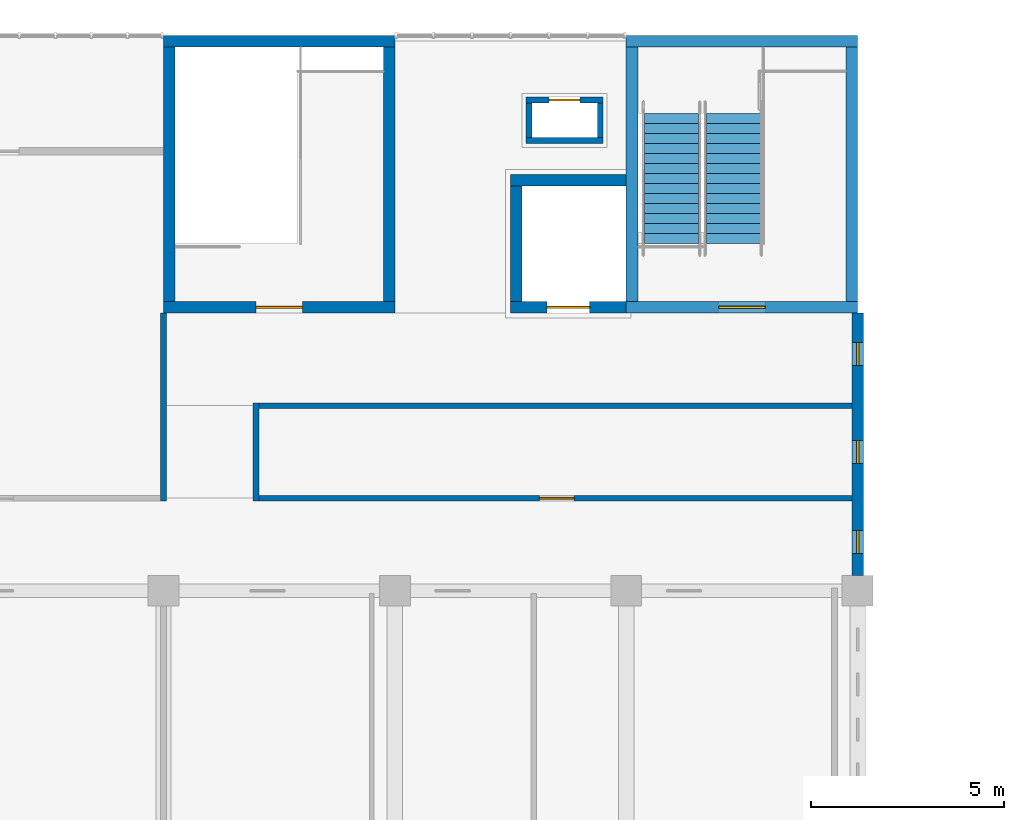
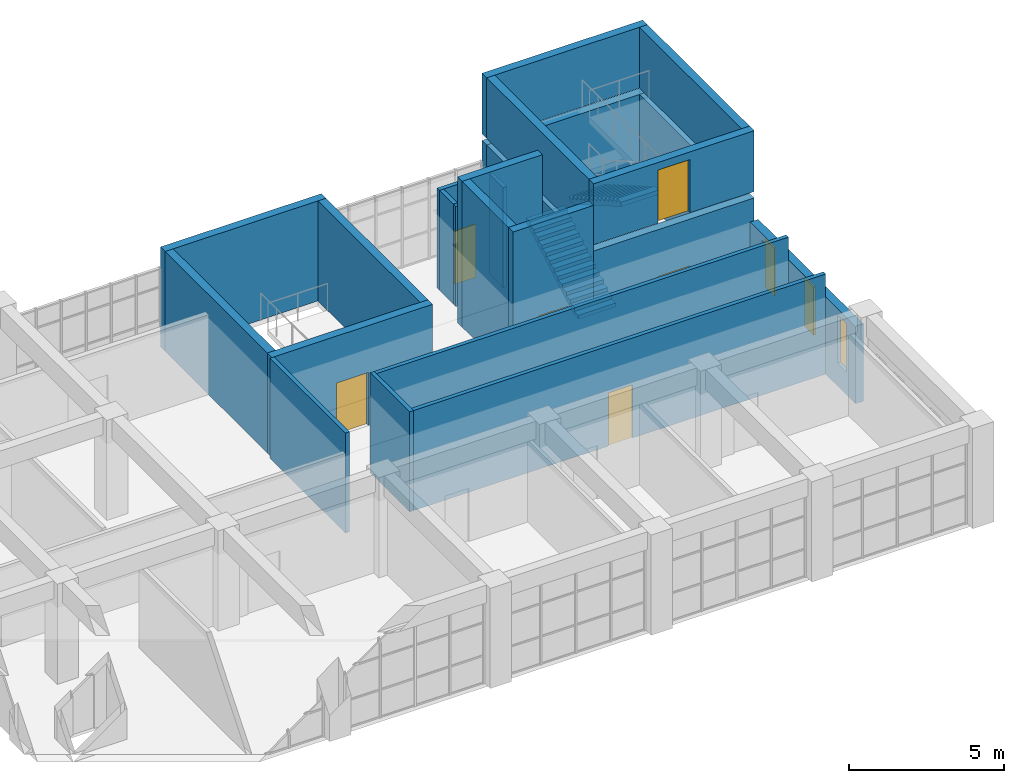
# One storey, part 40 of 51: 24 walls, 6 doors, 3 windows, 2 stair flights, 9 openings, 1 element without a shape of its own.
"""IFC4 building model written with IfcOpenShell, lengths in metres."""

import ifcopenshell
import ifcopenshell.guid

model = None  # the IFC model being written
_history = None  # IfcOwnerHistory: only IFC2X3 demands one
_inside = {}  # id of a spatial element -> (the spatial element, [elements in it])
_under = {}  # id of a project, library or spatial element -> (it, [spatial elements below it])
_declared = {}  # id of a project -> (the project, [libraries it declares])
_typed = {}  # id of a type object -> (the type object, [elements of that type])
_made_of = {}  # id of a material, layer set ... -> (it, [elements and type objects made of it])


def new_model(schema):
    """Start an empty IFC model of exactly this schema.

    Asked for "IFC4X3", IfcOpenShell would pick the latest addendum, in which some entities
    have other attributes; the version numbers below select the first issue.
    IFC2X3 requires an IfcOwnerHistory on every rooted entity: one is made here for all.
    """
    global model, _history
    if schema == "IFC4X3":
        model = ifcopenshell.file(schema_version=(4, 3, 0, 0))
    else:
        model = ifcopenshell.file(schema=schema)
    _inside.clear()
    _under.clear()
    _declared.clear()
    _typed.clear()
    _made_of.clear()
    _history = None
    if model.schema == "IFC2X3":
        org = make("IfcOrganization", Name="unknown")
        user = make(
            "IfcPersonAndOrganization",
            ThePerson=make("IfcPerson", FamilyName="unknown"),
            TheOrganization=org,
        )
        app = make(
            "IfcApplication",
            ApplicationDeveloper=org,
            Version="unknown",
            ApplicationFullName="unknown",
            ApplicationIdentifier="unknown",
        )
        _history = make(
            "IfcOwnerHistory",
            OwningUser=user,
            OwningApplication=app,
            ChangeAction="ADDED",
            CreationDate=0,
        )
    return model


def make(cls, **values):
    """One entity of the class cls with the attributes given. An attribute that is None is left unset."""
    return model.create_entity(
        cls, **{name: value for name, value in values.items() if value is not None}
    )


def rooted(cls, **values):
    """An entity with a GlobalId (a new one), such as an element, a storey or a relation."""
    return make(cls, GlobalId=ifcopenshell.guid.new(), OwnerHistory=_history, **values)


def si_unit(unit_type, name, prefix=None):
    """IfcSIUnit, for example si_unit("LENGTHUNIT", "METRE", prefix="MILLI")."""
    return make("IfcSIUnit", UnitType=unit_type, Prefix=prefix, Name=name)


def assignment(units):
    """IfcUnitAssignment: the units of a project."""
    return None if units is None else make("IfcUnitAssignment", Units=units)


def point(xyz):
    """IfcCartesianPoint."""
    return None if xyz is None else make("IfcCartesianPoint", Coordinates=xyz)


def direction(xyz):
    """IfcDirection."""
    return None if xyz is None else make("IfcDirection", DirectionRatios=xyz)


def frame(location, z_axis=None, x_axis=None):
    """IfcAxis2Placement3D, a coordinate frame: its origin and axes. An axis left out is left unset."""
    return make(
        "IfcAxis2Placement3D",
        Location=point(location),
        Axis=direction(z_axis),
        RefDirection=direction(x_axis),
    )


def frame_2d(location, x_axis=None):
    """IfcAxis2Placement2D, a coordinate frame in the plane: its origin and x axis."""
    return make(
        "IfcAxis2Placement2D", Location=point(location), RefDirection=direction(x_axis)
    )


def origin():
    """The frame at (0, 0, 0) with its axes left unset."""
    return frame((0.0, 0.0, 0.0))


def place(relative_to, where):
    """IfcLocalPlacement: puts the frame where relative to a parent placement (None: the world)."""
    return make(
        "IfcLocalPlacement", PlacementRelTo=relative_to, RelativePlacement=where
    )


def context(
    kind, dimensions, precision=None, world=None, true_north=None, identifier=None
):
    """IfcGeometricRepresentationContext, for example the 3D "Model" context."""
    return make(
        "IfcGeometricRepresentationContext",
        ContextIdentifier=identifier,
        ContextType=kind,
        CoordinateSpaceDimension=dimensions,
        Precision=precision,
        WorldCoordinateSystem=world,
        TrueNorth=true_north,
    )


def subcontext(parent, identifier, kind, view, scale=None):
    """IfcGeometricRepresentationSubContext, for example "Body" below "Model"."""
    return make(
        "IfcGeometricRepresentationSubContext",
        ContextIdentifier=identifier,
        ContextType=kind,
        ParentContext=parent,
        TargetScale=scale,
        TargetView=view,
    )


def project(units=None, contexts=None):
    """IfcProject with its units and contexts."""
    return rooted(
        "IfcProject",
        Name="project",
        RepresentationContexts=contexts,
        UnitsInContext=assignment(units),
    )


def spatial(cls, under=None, at=None, **own):
    """A site, building, storey or space (cls), placed at a placement, below another one or the project."""
    s = rooted(cls, ObjectPlacement=at, **own)
    if under is not None:
        _under.setdefault(under.id(), (under, []))[1].append(s)
    return s


def polyline(points):
    """IfcPolyline through the points."""
    return make("IfcPolyline", Points=[point(p) for p in points])


def profile(cls, at=None, kind="AREA", **sizes):
    """A parametric profile (cls). Its sizes go by their IFC names, for example OverallWidth=200.0."""
    return make(cls, ProfileType=kind, Position=at, **sizes)


def rectangle(**sizes):
    """IfcRectangleProfileDef."""
    return profile("IfcRectangleProfileDef", **sizes)


def outline(outer, holes=None, kind="AREA"):
    """IfcArbitraryClosedProfileDef: a profile drawn as a closed curve; with holes, ...WithVoids."""
    if holes is None:
        return make("IfcArbitraryClosedProfileDef", ProfileType=kind, OuterCurve=outer)
    return make(
        "IfcArbitraryProfileDefWithVoids",
        ProfileType=kind,
        OuterCurve=outer,
        InnerCurves=holes,
    )


def extrude(swept, where, along, depth):
    """IfcExtrudedAreaSolid: the profile swept, set in the frame where, extruded along a direction by depth."""
    return make(
        "IfcExtrudedAreaSolid",
        SweptArea=swept,
        Position=where,
        ExtrudedDirection=direction(along),
        Depth=depth,
    )


def shape(context_of_items, identifier, shape_type, items):
    """IfcShapeRepresentation: the items that make up one representation, for example the "Body"."""
    return make(
        "IfcShapeRepresentation",
        ContextOfItems=context_of_items,
        RepresentationIdentifier=identifier,
        RepresentationType=shape_type,
        Items=items,
    )


def material(Name=None, Category=None):
    """IfcMaterial."""
    return make("IfcMaterial", Name=Name, Category=Category)


def layer(
    of_material, thickness, ventilated=None, Name=None, Category=None, Priority=None
):
    """IfcMaterialLayer: one layer of a wall or slab, of a material (None: an air gap)."""
    return make(
        "IfcMaterialLayer",
        Material=of_material,
        LayerThickness=thickness,
        IsVentilated=ventilated,
        Name=Name,
        Category=Category,
        Priority=Priority,
    )


def layer_set(layers, Name=None):
    """IfcMaterialLayerSet."""
    return make("IfcMaterialLayerSet", MaterialLayers=layers, LayerSetName=Name)


def made_of(thing, what):
    """Note that an element or type object is made of a material, layer set ...; save() writes the relation."""
    if what is not None:
        _made_of.setdefault(what.id(), (what, []))[1].append(thing)
    return thing


def type_object(cls, material=None, **own):
    """A type object (cls), such as IfcWallType, which elements share."""
    return made_of(rooted(cls, **own), material)


def element(
    cls,
    number,
    at=None,
    inside=None,
    cuts=None,
    type_object=None,
    material=None,
    context=None,
    identifier="Body",
    shape_type=None,
    held_by="IfcProductDefinitionShape",
    body=None,
    shapes=None,
    **own,
):
    """One element of the class cls, such as IfcWall. Its Tag is "e" and its number.

    at: its placement. inside: the storey or other place that contains it. cuts: it is an
    opening in that element (IfcRelVoidsElement). A single representation is given by context,
    identifier, shape_type and body (its items); several are given by shapes. held_by: the class
    of the entity that holds the representations. save() writes the other relations.
    """
    e = rooted(cls, Tag="e%d" % number, ObjectPlacement=at, **own)
    if body is not None:
        shapes = [shape(context, identifier, shape_type, body)]
    if shapes is not None:
        e.Representation = make(held_by, Representations=shapes)
    if inside is not None:
        _inside.setdefault(inside.id(), (inside, []))[1].append(e)
    if cuts is not None:
        rooted(
            "IfcRelVoidsElement", RelatingBuildingElement=cuts, RelatedOpeningElement=e
        )
    if type_object is not None:
        _typed.setdefault(type_object.id(), (type_object, []))[1].append(e)
    return made_of(e, material)


def fill(opening, filler):
    """IfcRelFillsElement: the door or window that sits in an opening."""
    return rooted(
        "IfcRelFillsElement",
        RelatingOpeningElement=opening,
        RelatedBuildingElement=filler,
    )


def aggregate(whole, parts):
    """IfcRelAggregates: a whole, such as a stair, and the parts it consists of."""
    return rooted("IfcRelAggregates", RelatingObject=whole, RelatedObjects=parts)


def save(model, path):
    """Write the relations noted so far, then the file.

    IfcRelAggregates (storeys below a building ...), IfcRelContainedInSpatialStructure (elements
    in a storey), IfcRelDefinesByType, IfcRelAssociatesMaterial and IfcRelDeclares: one each for
    every whole, place, type object, material and project.
    """
    for whole, parts in _under.values():
        aggregate(whole, parts)
    for where, things in _inside.values():
        rooted(
            "IfcRelContainedInSpatialStructure",
            RelatedElements=things,
            RelatingStructure=where,
        )
    for kind, things in _typed.values():
        rooted("IfcRelDefinesByType", RelatedObjects=things, RelatingType=kind)
    for what, things in _made_of.values():
        rooted("IfcRelAssociatesMaterial", RelatedObjects=things, RelatingMaterial=what)
    for by, libraries in _declared.values():
        rooted("IfcRelDeclares", RelatingContext=by, RelatedDefinitions=libraries)
    model.write(path)


model = new_model("IFC4")

# Units and contexts
model_context = context("Model", 3, precision=1e-05, world=origin(), true_north=direction((0.0, 1.0)))
body_context = subcontext(model_context, "Body", "Model", "MODEL_VIEW")
ifc_project = project(units=[si_unit("LENGTHUNIT", "METRE"), si_unit("AREAUNIT", "SQUARE_METRE"), si_unit("VOLUMEUNIT", "CUBIC_METRE"), si_unit("PLANEANGLEUNIT", "RADIAN"), si_unit("MASSUNIT", "GRAM", prefix="KILO")], contexts=[model_context])

# Site, building, storey
site_placement = place(None, origin())
site = spatial("IfcSite", under=ifc_project, at=site_placement, CompositionType="ELEMENT")
building_placement = place(site_placement, origin())
building = spatial("IfcBuilding", under=site, at=building_placement, Name="Laocheng Heights Fire and Rescue Headquarters", CompositionType="ELEMENT")
storey_placement = place(building_placement, frame((0.0, 0.0, 21.0)))
storey = spatial("IfcBuildingStorey", under=building, at=storey_placement, Name="L05", CompositionType="ELEMENT", Elevation=21.0)

# Walls
ifc_material_1 = material(Name="Gypsum plaster")
ifc_layer_1 = layer(ifc_material_1, 0.010009765625, Name="PLASTER", Category="plaster")
ifc_material_2 = material(Name="Concrete blockwork MU10", Category="masonry")
ifc_layer_2 = layer(ifc_material_2, 0.1298828125, Name="BLOCKWORK", Category="masonry")
ifc_layer_3 = layer(ifc_material_1, 0.010009765625, Name="PLASTER", Category="plaster")
ifc_layer_set_1 = layer_set([ifc_layer_1, ifc_layer_2, ifc_layer_3], Name="Concrete blockwork MU10")
wall_type_1 = type_object("IfcWallType", Name="BLOCKWORK CORRIDOR WALL 150 EI 60 HQ WING", PredefinedType="PARTITIONING", material=ifc_layer_set_1)
wall_1_placement = place(storey_placement, frame((66.0, 59.925048828125, 0.0), z_axis=(0.0, 0.0, 1.0), x_axis=(0.0, 1.0, 0.0)))
element("IfcWall", 1, at=wall_1_placement, inside=storey, type_object=wall_type_1, Name="Partition L05-008", PredefinedType="PARTITIONING", context=body_context, shape_type="SweptSolid", body=[
    extrude(rectangle(XDim=4.875, YDim=0.14990234375, at=frame_2d((2.4375, 0.0))), origin(), (0.0, 0.0, 1.0), 3.949951171875),
])
wall_2_placement = place(storey_placement, frame((68.39990234375, 59.925048828125, 0.0), z_axis=(0.0, 0.0, 1.0), x_axis=(0.0, 1.0, 0.0)))
element("IfcWall", 2, at=wall_2_placement, inside=storey, type_object=wall_type_1, Name="Partition L05-009", PredefinedType="PARTITIONING", context=body_context, shape_type="SweptSolid", body=[
    extrude(rectangle(XDim=2.550048828125, YDim=0.14990234375, at=frame_2d((1.27490234375, 0.0))), origin(), (0.0, 0.0, 1.0), 3.949951171875),
])

# Wall, opening, door
wall_3_placement = place(storey_placement, frame((68.47509765625, 60.0, 0.0), z_axis=(0.0, 0.0, 1.0), x_axis=(1.0, 0.0, 0.0)))
wall_3 = element("IfcWall", 3, at=wall_3_placement, inside=storey, type_object=wall_type_1, Name="Partition L05-016", PredefinedType="PARTITIONING", context=body_context, shape_type="SweptSolid", body=[
    extrude(rectangle(XDim=15.375, YDim=0.14990234375, at=frame_2d((7.6875, 0.0))), origin(), (0.0, 0.0, 1.0), 3.949951171875),
])
opening_1_placement = place(wall_3_placement, frame((7.27490234375, 0.0, 0.0)))
opening_1 = element("IfcOpeningElement", 4, at=opening_1_placement, cuts=wall_3, Name="Opening L05-Y09", PredefinedType="OPENING", context=body_context, shape_type="SweptSolid", body=[
    extrude(rectangle(XDim=0.89990234375, YDim=2.10009765625, at=frame_2d((0.449951171875, 1.050048828125))), frame((0.0, 0.0849609375, 0.0), z_axis=(0.0, -1.0, 0.0), x_axis=(1.0, 0.0, 0.0)), (0.0, 0.0, 1.0), 0.169921875),
])
ifc_material_3 = material(Name="Timber door leaf, veneered", Category="wood")
door_type_1 = type_object("IfcDoorType", Name="TIMBER DOOR 900x2100 EI 30 HQ WING", OperationType="SINGLE_SWING_LEFT", PredefinedType="DOOR", material=ifc_material_3)
door_1_placement = place(opening_1_placement, origin())
door_1 = element("IfcDoor", 5, at=door_1_placement, inside=storey, type_object=door_type_1, Name="Door L05-Y09", OperationType="SINGLE_SWING_LEFT", OverallHeight=2.10009765625, OverallWidth=0.89990234375, PredefinedType="DOOR", context=body_context, shape_type="SweptSolid", body=[
    extrude(rectangle(XDim=0.89990234375, YDim=2.10009765625, at=frame_2d((0.449951171875, 1.050048828125))), frame((0.0, 0.02490234375, 0.0), z_axis=(0.0, -1.0, 0.0), x_axis=(1.0, 0.0, 0.0)), (0.0, 0.0, 1.0), 0.050048828125),
])
fill(opening_1, door_1)

# Wall
wall_4_placement = place(storey_placement, frame((68.47509765625, 62.39990234375, 0.0), z_axis=(0.0, 0.0, 1.0), x_axis=(1.0, 0.0, 0.0)))
element("IfcWall", 6, at=wall_4_placement, inside=storey, type_object=wall_type_1, Name="Partition L05-017", PredefinedType="PARTITIONING", context=body_context, shape_type="SweptSolid", body=[
    extrude(rectangle(XDim=15.375, YDim=0.14990234375, at=frame_2d((7.6875, 0.0))), origin(), (0.0, 0.0, 1.0), 3.949951171875),
])

# Wall, openings, windows
ifc_material_4 = material(Name="Precast concrete C40/50", Category="concrete")
ifc_layer_4 = layer(ifc_material_4, 0.300048828125)
ifc_layer_set_2 = layer_set([ifc_layer_4], Name="Precast concrete C40/50")
wall_type_2 = type_object("IfcWallType", Name="PRECAST WALL PANEL 300", PredefinedType="SOLIDWALL", material=ifc_layer_set_2)
wall_5_placement = place(storey_placement, frame((84.0, 58.0, 0.0), z_axis=(0.0, 0.0, 1.0), x_axis=(0.0, 1.0, 0.0)))
wall_5 = element("IfcWall", 7, at=wall_5_placement, inside=storey, type_object=wall_type_2, Name="PRECAST WALL PANEL HQ EAST L05", PredefinedType="SOLIDWALL", context=body_context, shape_type="SweptSolid", body=[
    extrude(rectangle(XDim=6.800048828125, YDim=0.300048828125, at=frame_2d((3.39990234375, 0.0))), origin(), (0.0, 0.0, 1.0), 3.050048828125),
])
opening_2_placement = place(wall_5_placement, frame((0.56005859375, 0.0, 0.89990234375)))
opening_2 = element("IfcOpeningElement", 8, at=opening_2_placement, cuts=wall_5, Name="Opening N1-X", PredefinedType="OPENING", context=body_context, shape_type="SweptSolid", body=[
    extrude(rectangle(XDim=0.60009765625, YDim=1.89990234375, at=frame_2d((0.300048828125, 0.949951171875))), frame((0.0, 0.159912109375, 0.0), z_axis=(0.0, -1.0, 0.0), x_axis=(1.0, 0.0, 0.0)), (0.0, 0.0, 1.0), 0.320068359375),
])
opening_3_placement = place(wall_5_placement, frame((2.89990234375, 0.0, 0.89990234375)))
opening_3 = element("IfcOpeningElement", 9, at=opening_3_placement, cuts=wall_5, Name="Opening N1-X", PredefinedType="OPENING", context=body_context, shape_type="SweptSolid", body=[
    extrude(rectangle(XDim=0.60009765625, YDim=1.89990234375, at=frame_2d((0.300048828125, 0.949951171875))), frame((0.0, 0.159912109375, 0.0), z_axis=(0.0, -1.0, 0.0), x_axis=(1.0, 0.0, 0.0)), (0.0, 0.0, 1.0), 0.320068359375),
])
opening_4_placement = place(wall_5_placement, frame((5.43994140625, 0.0, 0.89990234375)))
opening_4 = element("IfcOpeningElement", 10, at=opening_4_placement, cuts=wall_5, Name="Opening N1-X", PredefinedType="OPENING", context=body_context, shape_type="SweptSolid", body=[
    extrude(rectangle(XDim=0.60009765625, YDim=1.89990234375, at=frame_2d((0.300048828125, 0.949951171875))), frame((0.0, 0.159912109375, 0.0), z_axis=(0.0, -1.0, 0.0), x_axis=(1.0, 0.0, 0.0)), (0.0, 0.0, 1.0), 0.320068359375),
])
ifc_material_5 = material(Name="Low-e double glazing in aluminium frame", Category="aluminium")
window_type = type_object("IfcWindowType", Name="WINDOW 600 x 1900 HQ END SLOT", PartitioningType="SINGLE_PANEL", PredefinedType="WINDOW", material=ifc_material_5)
window_1_placement = place(opening_2_placement, origin())
window_1 = element("IfcWindow", 11, at=window_1_placement, inside=storey, type_object=window_type, Name="HQ END SLOT HQ EAST L05", OverallHeight=1.89990234375, OverallWidth=0.60009765625, PartitioningType="SINGLE_PANEL", PredefinedType="WINDOW", context=body_context, shape_type="SweptSolid", body=[
    extrude(rectangle(XDim=0.60009765625, YDim=1.89990234375, at=frame_2d((0.300048828125, 0.949951171875))), frame((0.0, 0.030029296875, 0.0), z_axis=(0.0, -1.0, 0.0), x_axis=(1.0, 0.0, 0.0)), (0.0, 0.0, 1.0), 0.06005859375),
])
fill(opening_2, window_1)
window_2_placement = place(opening_3_placement, origin())
window_2 = element("IfcWindow", 12, at=window_2_placement, inside=storey, type_object=window_type, Name="HQ END SLOT HQ EAST L05", OverallHeight=1.89990234375, OverallWidth=0.60009765625, PartitioningType="SINGLE_PANEL", PredefinedType="WINDOW", context=body_context, shape_type="SweptSolid", body=[
    extrude(rectangle(XDim=0.60009765625, YDim=1.89990234375, at=frame_2d((0.300048828125, 0.949951171875))), frame((0.0, 0.030029296875, 0.0), z_axis=(0.0, -1.0, 0.0), x_axis=(1.0, 0.0, 0.0)), (0.0, 0.0, 1.0), 0.06005859375),
])
fill(opening_3, window_2)
window_3_placement = place(opening_4_placement, origin())
window_3 = element("IfcWindow", 13, at=window_3_placement, inside=storey, type_object=window_type, Name="HQ END SLOT HQ EAST L05", OverallHeight=1.89990234375, OverallWidth=0.60009765625, PartitioningType="SINGLE_PANEL", PredefinedType="WINDOW", context=body_context, shape_type="SweptSolid", body=[
    extrude(rectangle(XDim=0.60009765625, YDim=1.89990234375, at=frame_2d((0.300048828125, 0.949951171875))), frame((0.0, 0.030029296875, 0.0), z_axis=(0.0, -1.0, 0.0), x_axis=(1.0, 0.0, 0.0)), (0.0, 0.0, 1.0), 0.06005859375),
])
fill(opening_4, window_3)

# Wall, opening, door
ifc_material_6 = material(Name="Concrete C50", Category="concrete")
ifc_layer_5 = layer(ifc_material_6, 0.300048828125)
ifc_layer_set_3 = layer_set([ifc_layer_5], Name="Concrete C50")
wall_type_3 = type_object("IfcWallType", Name="RC LIFT SHAFT WALL 300", PredefinedType="SHEAR", material=ifc_layer_set_3)
wall_6_placement = place(storey_placement, frame((75.0, 64.949951171875, 0.0), z_axis=(0.0, 0.0, 1.0), x_axis=(1.0, 0.0, 0.0)))
wall_6 = element("IfcWall", 14, at=wall_6_placement, inside=storey, type_object=wall_type_3, Name="Lift shaft wall", PredefinedType="SHEAR", context=body_context, shape_type="SweptSolid", body=[
    extrude(rectangle(XDim=3.0, YDim=0.300048828125, at=frame_2d((1.5, 0.0))), origin(), (0.0, 0.0, 1.0), 5.75),
])
opening_5_placement = place(wall_6_placement, frame((0.949951171875, 0.0, 0.0)))
opening_5 = element("IfcOpeningElement", 15, at=opening_5_placement, cuts=wall_6, Name="Opening L05-K12", PredefinedType="OPENING", context=body_context, shape_type="SweptSolid", body=[
    extrude(rectangle(XDim=1.10009765625, YDim=2.10009765625, at=frame_2d((0.550048828125, 1.050048828125))), frame((0.0, 0.159912109375, 0.0), z_axis=(0.0, -1.0, 0.0), x_axis=(1.0, 0.0, 0.0)), (0.0, 0.0, 1.0), 0.320068359375),
])
ifc_material_7 = material(Name="Stainless steel", Category="steel")
door_type_2 = type_object("IfcDoorType", Name="LANDING DOOR H-L2 SLIDING 1100x2100 E 120", OperationType="DOUBLE_DOOR_SLIDING", PredefinedType="DOOR", material=ifc_material_7)
door_2_placement = place(opening_5_placement, origin())
door_2 = element("IfcDoor", 16, at=door_2_placement, inside=storey, type_object=door_type_2, Name="Landing door H-L2", OperationType="DOUBLE_DOOR_SLIDING", OverallHeight=2.10009765625, OverallWidth=1.10009765625, PredefinedType="DOOR", context=body_context, shape_type="SweptSolid", body=[
    extrude(rectangle(XDim=1.10009765625, YDim=2.10009765625, at=frame_2d((0.550048828125, 1.050048828125))), frame((0.0, 0.02490234375, 0.0), z_axis=(0.0, -1.0, 0.0), x_axis=(1.0, 0.0, 0.0)), (0.0, 0.0, 1.0), 0.050048828125),
])
fill(opening_5, door_2)

# Walls
for number, where, z_axis, x_axis, name in (
    (17, (75.0, 68.25, 0.0), (0.0, 0.0, 1.0), (1.0, 0.0, 0.0), "Lift shaft wall"),
    (18, (75.14990234375, 65.10009765625, 0.0), (0.0, 0.0, 1.0), (0.0, 1.0, 0.0), "Lift shaft wall"),
):
    element("IfcWall", number, at=place(storey_placement, frame(where, z_axis=z_axis, x_axis=x_axis)), inside=storey, type_object=wall_type_3, Name=name, PredefinedType="SHEAR", context=body_context, shape_type="SweptSolid", body=[
        extrude(rectangle(XDim=3.0, YDim=0.300048828125, at=frame_2d((1.5, 0.0))), origin(), (0.0, 0.0, 1.0), 5.75),
    ])

# Wall, opening, door
ifc_material_8 = material(Name="Concrete C50", Category="concrete")
ifc_layer_6 = layer(ifc_material_8, 0.300048828125)
ifc_layer_set_4 = layer_set([ifc_layer_6], Name="Concrete C50")
wall_type_4 = type_object("IfcWallType", Name="RC STAIR ENCLOSURE WALL 300", PredefinedType="SHEAR", material=ifc_layer_set_4)
wall_7_placement = place(storey_placement, frame((78.0, 64.949951171875, 0.0), z_axis=(0.0, 0.0, 1.0), x_axis=(1.0, 0.0, 0.0)))
wall_7 = element("IfcWall", 19, at=wall_7_placement, inside=storey, type_object=wall_type_4, Name="Stair enclosure wall", PredefinedType="SHEAR", context=body_context, shape_type="SweptSolid", body=[
    extrude(rectangle(XDim=6.0, YDim=0.300048828125, at=frame_2d((3.0, 0.0))), origin(), (0.0, 0.0, 1.0), 3.949951171875),
])
opening_6_placement = place(wall_7_placement, frame((2.39990234375, 0.0, 0.0)))
opening_6 = element("IfcOpeningElement", 20, at=opening_6_placement, cuts=wall_7, Name="Opening L05-K10", PredefinedType="OPENING", context=body_context, shape_type="SweptSolid", body=[
    extrude(rectangle(XDim=1.199951171875, YDim=2.10009765625, at=frame_2d((0.60009765625, 1.050048828125))), frame((0.0, 0.159912109375, 0.0), z_axis=(0.0, -1.0, 0.0), x_axis=(1.0, 0.0, 0.0)), (0.0, 0.0, 1.0), 0.320068359375),
])
ifc_material_9 = material(Name="Painted steel", Category="steel")
door_type_3 = type_object("IfcDoorType", Name="FIRE DOOR 1200x2100 EI 60", OperationType="SINGLE_SWING_LEFT", PredefinedType="DOOR", material=ifc_material_9)
door_3_placement = place(opening_6_placement, origin())
door_3 = element("IfcDoor", 21, at=door_3_placement, inside=storey, type_object=door_type_3, Name="Stair H2 door", OperationType="SINGLE_SWING_LEFT", OverallHeight=2.10009765625, OverallWidth=1.199951171875, PredefinedType="DOOR", context=body_context, shape_type="SweptSolid", body=[
    extrude(rectangle(XDim=1.199951171875, YDim=2.10009765625, at=frame_2d((0.60009765625, 1.050048828125))), frame((0.0, 0.02490234375, 0.0), z_axis=(0.0, -1.0, 0.0), x_axis=(1.0, 0.0, 0.0)), (0.0, 0.0, 1.0), 0.050048828125),
])
fill(opening_6, door_3)

# Walls
wall_8_placement = place(storey_placement, frame((78.0, 71.85009765625, 0.0), z_axis=(0.0, 0.0, 1.0), x_axis=(1.0, 0.0, 0.0)))
element("IfcWall", 22, at=wall_8_placement, inside=storey, type_object=wall_type_4, Name="Stair enclosure wall", PredefinedType="SHEAR", context=body_context, shape_type="SweptSolid", body=[
    extrude(rectangle(XDim=6.0, YDim=0.300048828125, at=frame_2d((3.0, 0.0))), origin(), (0.0, 0.0, 1.0), 3.949951171875),
])
for number, where, z_axis, x_axis, name in (
    (23, (78.14990234375, 65.10009765625, 0.0), (0.0, 0.0, 1.0), (0.0, 1.0, 0.0), "Stair enclosure wall"),
    (24, (83.85009765625, 65.10009765625, 0.0), (0.0, 0.0, 1.0), (0.0, 1.0, 0.0), "Stair enclosure wall"),
):
    element("IfcWall", number, at=place(storey_placement, frame(where, z_axis=z_axis, x_axis=x_axis)), inside=storey, type_object=wall_type_4, Name=name, PredefinedType="SHEAR", context=body_context, shape_type="SweptSolid", body=[
        extrude(rectangle(XDim=6.599853515625, YDim=0.300048828125, at=frame_2d((3.2998046875, 0.0))), origin(), (0.0, 0.0, 1.0), 3.949951171875),
    ])

# Wall, opening, door
wall_9_placement = place(storey_placement, frame((78.0, 64.949951171875, 4.199951171875), z_axis=(0.0, 0.0, 1.0), x_axis=(1.0, 0.0, 0.0)))
wall_9 = element("IfcWall", 25, at=wall_9_placement, inside=storey, type_object=wall_type_4, Name="Stair enclosure wall", PredefinedType="SHEAR", context=body_context, shape_type="SweptSolid", body=[
    extrude(rectangle(XDim=6.0, YDim=0.300048828125, at=frame_2d((3.0, 0.0))), origin(), (0.0, 0.0, 1.0), 2.400146484375),
])
opening_7_placement = place(wall_9_placement, frame((2.39990234375, 0.0, 0.0)))
opening_7 = element("IfcOpeningElement", 26, at=opening_7_placement, cuts=wall_9, Name="Opening L05-K11", PredefinedType="OPENING", context=body_context, shape_type="SweptSolid", body=[
    extrude(rectangle(XDim=1.199951171875, YDim=2.10009765625, at=frame_2d((0.60009765625, 1.050048828125))), frame((0.0, 0.159912109375, 0.0), z_axis=(0.0, -1.0, 0.0), x_axis=(1.0, 0.0, 0.0)), (0.0, 0.0, 1.0), 0.320068359375),
])
door_4_placement = place(opening_7_placement, frame((1.199951171875, 0.0, 0.0), z_axis=(0.0, 0.0, 1.0), x_axis=(-1.0, 0.0, 0.0)))
door_4 = element("IfcDoor", 27, at=door_4_placement, inside=storey, type_object=door_type_3, Name="Stair H2 roof door", OperationType="SINGLE_SWING_LEFT", OverallHeight=2.10009765625, OverallWidth=1.199951171875, PredefinedType="DOOR", context=body_context, shape_type="SweptSolid", body=[
    extrude(rectangle(XDim=1.199951171875, YDim=2.10009765625, at=frame_2d((0.60009765625, 1.050048828125))), frame((0.0, 0.02490234375, 0.0), z_axis=(0.0, -1.0, 0.0), x_axis=(1.0, 0.0, 0.0)), (0.0, 0.0, 1.0), 0.050048828125),
])
fill(opening_7, door_4)

# Walls
wall_10_placement = place(storey_placement, frame((78.0, 71.85009765625, 4.199951171875), z_axis=(0.0, 0.0, 1.0), x_axis=(1.0, 0.0, 0.0)))
element("IfcWall", 28, at=wall_10_placement, inside=storey, type_object=wall_type_4, Name="Stair enclosure wall", PredefinedType="SHEAR", context=body_context, shape_type="SweptSolid", body=[
    extrude(rectangle(XDim=6.0, YDim=0.300048828125, at=frame_2d((3.0, 0.0))), origin(), (0.0, 0.0, 1.0), 2.400146484375),
])
for number, where, z_axis, x_axis, name in (
    (29, (78.14990234375, 65.10009765625, 4.199951171875), (0.0, 0.0, 1.0), (0.0, 1.0, 0.0), "Stair enclosure wall"),
    (30, (83.85009765625, 65.10009765625, 4.199951171875), (0.0, 0.0, 1.0), (0.0, 1.0, 0.0), "Stair enclosure wall"),
):
    element("IfcWall", number, at=place(storey_placement, frame(where, z_axis=z_axis, x_axis=x_axis)), inside=storey, type_object=wall_type_4, Name=name, PredefinedType="SHEAR", context=body_context, shape_type="SweptSolid", body=[
        extrude(rectangle(XDim=6.599853515625, YDim=0.300048828125, at=frame_2d((3.2998046875, 0.0))), origin(), (0.0, 0.0, 1.0), 2.400146484375),
    ])

# Wall, opening, door
wall_11_placement = place(storey_placement, frame((66.0, 64.949951171875, 0.0), z_axis=(0.0, 0.0, 1.0), x_axis=(1.0, 0.0, 0.0)))
wall_11 = element("IfcWall", 31, at=wall_11_placement, inside=storey, type_object=wall_type_4, Name="Stair enclosure wall", PredefinedType="SHEAR", context=body_context, shape_type="SweptSolid", body=[
    extrude(rectangle(XDim=6.0, YDim=0.300048828125, at=frame_2d((3.0, 0.0))), origin(), (0.0, 0.0, 1.0), 3.949951171875),
])
opening_8_placement = place(wall_11_placement, frame((2.39990234375, 0.0, 0.0)))
opening_8 = element("IfcOpeningElement", 32, at=opening_8_placement, cuts=wall_11, Name="Opening L05-K14", PredefinedType="OPENING", context=body_context, shape_type="SweptSolid", body=[
    extrude(rectangle(XDim=1.199951171875, YDim=2.10009765625, at=frame_2d((0.60009765625, 1.050048828125))), frame((0.0, 0.159912109375, 0.0), z_axis=(0.0, -1.0, 0.0), x_axis=(1.0, 0.0, 0.0)), (0.0, 0.0, 1.0), 0.320068359375),
])
door_5_placement = place(opening_8_placement, origin())
door_5 = element("IfcDoor", 33, at=door_5_placement, inside=storey, type_object=door_type_3, Name="Stair H3 door", OperationType="SINGLE_SWING_LEFT", OverallHeight=2.10009765625, OverallWidth=1.199951171875, PredefinedType="DOOR", context=body_context, shape_type="SweptSolid", body=[
    extrude(rectangle(XDim=1.199951171875, YDim=2.10009765625, at=frame_2d((0.60009765625, 1.050048828125))), frame((0.0, 0.02490234375, 0.0), z_axis=(0.0, -1.0, 0.0), x_axis=(1.0, 0.0, 0.0)), (0.0, 0.0, 1.0), 0.050048828125),
])
fill(opening_8, door_5)

# Walls
wall_12_placement = place(storey_placement, frame((66.0, 71.85009765625, 0.0), z_axis=(0.0, 0.0, 1.0), x_axis=(1.0, 0.0, 0.0)))
element("IfcWall", 34, at=wall_12_placement, inside=storey, type_object=wall_type_4, Name="Stair enclosure wall", PredefinedType="SHEAR", context=body_context, shape_type="SweptSolid", body=[
    extrude(rectangle(XDim=6.0, YDim=0.300048828125, at=frame_2d((3.0, 0.0))), origin(), (0.0, 0.0, 1.0), 3.949951171875),
])
for number, where, z_axis, x_axis, name in (
    (35, (66.14990234375, 65.10009765625, 0.0), (0.0, 0.0, 1.0), (0.0, 1.0, 0.0), "Stair enclosure wall"),
    (36, (71.85009765625, 65.10009765625, 0.0), (0.0, 0.0, 1.0), (0.0, 1.0, 0.0), "Stair enclosure wall"),
):
    element("IfcWall", number, at=place(storey_placement, frame(where, z_axis=z_axis, x_axis=x_axis)), inside=storey, type_object=wall_type_4, Name=name, PredefinedType="SHEAR", context=body_context, shape_type="SweptSolid", body=[
        extrude(rectangle(XDim=6.599853515625, YDim=0.300048828125, at=frame_2d((3.2998046875, 0.0))), origin(), (0.0, 0.0, 1.0), 3.949951171875),
    ])
ifc_material_10 = material(Name="Concrete C30", Category="concrete")
ifc_layer_7 = layer(ifc_material_10, 0.14990234375)
ifc_layer_set_5 = layer_set([ifc_layer_7], Name="Concrete C30")
wall_type_5 = type_object("IfcWallType", Name="RISER SHAFT WALL 150", PredefinedType="SOLIDWALL", material=ifc_layer_set_5)
wall_13_placement = place(storey_placement, frame((75.39990234375, 69.27490234375, 0.0), z_axis=(0.0, 0.0, 1.0), x_axis=(1.0, 0.0, 0.0)))
element("IfcWall", 37, at=wall_13_placement, inside=storey, type_object=wall_type_5, Name="Riser shaft wall", PredefinedType="SOLIDWALL", context=body_context, shape_type="SweptSolid", body=[
    extrude(rectangle(XDim=2.0, YDim=0.14990234375, at=frame_2d((1.0, 0.0))), origin(), (0.0, 0.0, 1.0), 3.949951171875),
])

# Wall, opening, door
wall_14_placement = place(storey_placement, frame((75.39990234375, 70.324951171875, 0.0), z_axis=(0.0, 0.0, 1.0), x_axis=(1.0, 0.0, 0.0)))
wall_14 = element("IfcWall", 38, at=wall_14_placement, inside=storey, type_object=wall_type_5, Name="Riser shaft wall", PredefinedType="SOLIDWALL", context=body_context, shape_type="SweptSolid", body=[
    extrude(rectangle(XDim=2.0, YDim=0.14990234375, at=frame_2d((1.0, 0.0))), origin(), (0.0, 0.0, 1.0), 3.949951171875),
])
opening_9_placement = place(wall_14_placement, frame((0.60009765625, 0.0, 0.0)))
opening_9 = element("IfcOpeningElement", 39, at=opening_9_placement, cuts=wall_14, Name="Opening L05-K13", PredefinedType="OPENING", context=body_context, shape_type="SweptSolid", body=[
    extrude(rectangle(XDim=0.800048828125, YDim=2.10009765625, at=frame_2d((0.39990234375, 1.050048828125))), frame((0.0, 0.0849609375, 0.0), z_axis=(0.0, -1.0, 0.0), x_axis=(1.0, 0.0, 0.0)), (0.0, 0.0, 1.0), 0.169921875),
])
ifc_material_11 = material(Name="Painted steel", Category="steel")
door_type_4 = type_object("IfcDoorType", Name="RISER ACCESS DOOR 800x2100 EI 30", OperationType="SINGLE_SWING_LEFT", PredefinedType="DOOR", material=ifc_material_11)
door_6_placement = place(opening_9_placement, frame((0.800048828125, 0.0, 0.0), z_axis=(0.0, 0.0, 1.0), x_axis=(-1.0, 0.0, 0.0)))
door_6 = element("IfcDoor", 40, at=door_6_placement, inside=storey, type_object=door_type_4, Name="Riser RH2 access door", OperationType="SINGLE_SWING_LEFT", OverallHeight=2.10009765625, OverallWidth=0.800048828125, PredefinedType="DOOR", context=body_context, shape_type="SweptSolid", body=[
    extrude(rectangle(XDim=0.800048828125, YDim=2.10009765625, at=frame_2d((0.39990234375, 1.050048828125))), frame((0.0, 0.02490234375, 0.0), z_axis=(0.0, -1.0, 0.0), x_axis=(1.0, 0.0, 0.0)), (0.0, 0.0, 1.0), 0.050048828125),
])
fill(opening_9, door_6)

# Walls
for number, where, z_axis, x_axis, name in (
    (41, (75.47509765625, 69.35009765625, 0.0), (0.0, 0.0, 1.0), (0.0, 1.0, 0.0), "Riser shaft wall"),
    (42, (77.324951171875, 69.35009765625, 0.0), (0.0, 0.0, 1.0), (0.0, 1.0, 0.0), "Riser shaft wall"),
):
    element("IfcWall", number, at=place(storey_placement, frame(where, z_axis=z_axis, x_axis=x_axis)), inside=storey, type_object=wall_type_5, Name=name, PredefinedType="SOLIDWALL", context=body_context, shape_type="SweptSolid", body=[
        extrude(rectangle(XDim=0.89990234375, YDim=0.14990234375, at=frame_2d((0.449951171875, 0.0))), origin(), (0.0, 0.0, 1.0), 3.949951171875),
    ])

# Stair, stair flights
ifc_material_12 = material(Name="Concrete C40", Category="concrete")
stair_type = type_object("IfcStairType", Name="RC STAIR 1400 TWO FLIGHTS 28 RISERS OF 150 GOING 260", PredefinedType="HALF_TURN_STAIR", material=ifc_material_12)
stair_placement = place(storey_placement, origin())
stair = element("IfcStair", 43, at=stair_placement, inside=storey, type_object=stair_type, Name="Stair H2 (L05 to roof)", PredefinedType="HALF_TURN_STAIR")
ifc_material_13 = material(Name="Concrete C40", Category="concrete")
stair_flight_type = type_object("IfcStairFlightType", Name="RC STAIR FLIGHT 1400 RISERS OF 150 GOING 260", PredefinedType="STRAIGHT", material=ifc_material_13)
stair_flight_1_placement = place(storey_placement, frame((79.175048828125, 66.60009765625, 0.0), z_axis=(0.0, 0.0, 1.0), x_axis=(0.0, 1.0, 0.0)))
stair_flight_1 = element("IfcStairFlight", 44, at=stair_flight_1_placement, type_object=stair_flight_type, Name="H2-L05 flight 1", NumberOfRisers=14, NumberOfTreads=13, PredefinedType="STRAIGHT", RiserHeight=0.15, TreadLength=0.26, context=body_context, shape_type="SweptSolid", body=[
    extrude(outline(polyline([(0.0, 0.0), (0.0, 0.14990234375), (0.260009765625, 0.14990234375), (0.260009765625, 0.300048828125), (0.52001953125, 0.300048828125), (0.52001953125, 0.449951171875), (0.780029296875, 0.449951171875), (0.780029296875, 0.60009765625), (1.0400390625, 0.60009765625), (1.0400390625, 0.75), (1.300048828125, 0.75), (1.300048828125, 0.89990234375), (1.56005859375, 0.89990234375), (1.56005859375, 1.050048828125), (1.820068359375, 1.050048828125), (1.820068359375, 1.199951171875), (2.080078125, 1.199951171875), (2.080078125, 1.35009765625), (2.340087890625, 1.35009765625), (2.340087890625, 1.5), (2.60009765625, 1.5), (2.60009765625, 1.64990234375), (2.860107421875, 1.64990234375), (2.860107421875, 1.800048828125), (3.1201171875, 1.800048828125), (3.1201171875, 1.949951171875), (3.3798828125, 1.949951171875), (3.3798828125, 2.10009765625), (3.3798828125, 1.77685546875), (0.300048828125, 0.0), (0.0, 0.0)])), frame((0.0, 0.699951171875, 0.0), z_axis=(0.0, -1.0, 0.0), x_axis=(1.0, 0.0, 0.0)), (0.0, 0.0, 1.0), 1.39990234375),
])
stair_flight_2_placement = place(storey_placement, frame((80.77490234375, 69.97998046875, 2.10205078125), z_axis=(0.0, 0.0, 1.0), x_axis=(0.0, -1.0, 0.0)))
stair_flight_2 = element("IfcStairFlight", 45, at=stair_flight_2_placement, type_object=stair_flight_type, Name="H2-L05 flight 2", NumberOfRisers=14, NumberOfTreads=13, PredefinedType="STRAIGHT", RiserHeight=0.15, TreadLength=0.26, context=body_context, shape_type="SweptSolid", body=[
    extrude(outline(polyline([(0.0, 0.0), (0.0, 0.14990234375), (0.260009765625, 0.14990234375), (0.260009765625, 0.300048828125), (0.52001953125, 0.300048828125), (0.52001953125, 0.449951171875), (0.780029296875, 0.449951171875), (0.780029296875, 0.60009765625), (1.0400390625, 0.60009765625), (1.0400390625, 0.75), (1.300048828125, 0.75), (1.300048828125, 0.89990234375), (1.56005859375, 0.89990234375), (1.56005859375, 1.050048828125), (1.820068359375, 1.050048828125), (1.820068359375, 1.199951171875), (2.080078125, 1.199951171875), (2.080078125, 1.35009765625), (2.340087890625, 1.35009765625), (2.340087890625, 1.5), (2.60009765625, 1.5), (2.60009765625, 1.64990234375), (2.860107421875, 1.64990234375), (2.860107421875, 1.800048828125), (3.1201171875, 1.800048828125), (3.1201171875, 1.949951171875), (3.3798828125, 1.949951171875), (3.3798828125, 2.10009765625), (3.3798828125, 1.77685546875), (0.300048828125, 0.0), (0.0, 0.0)])), frame((0.0, 0.699951171875, 0.0), z_axis=(0.0, -1.0, 0.0), x_axis=(1.0, 0.0, 0.0)), (0.0, 0.0, 1.0), 1.39990234375),
])
aggregate(stair, [stair_flight_1, stair_flight_2])

save(model, "model.ifc")
